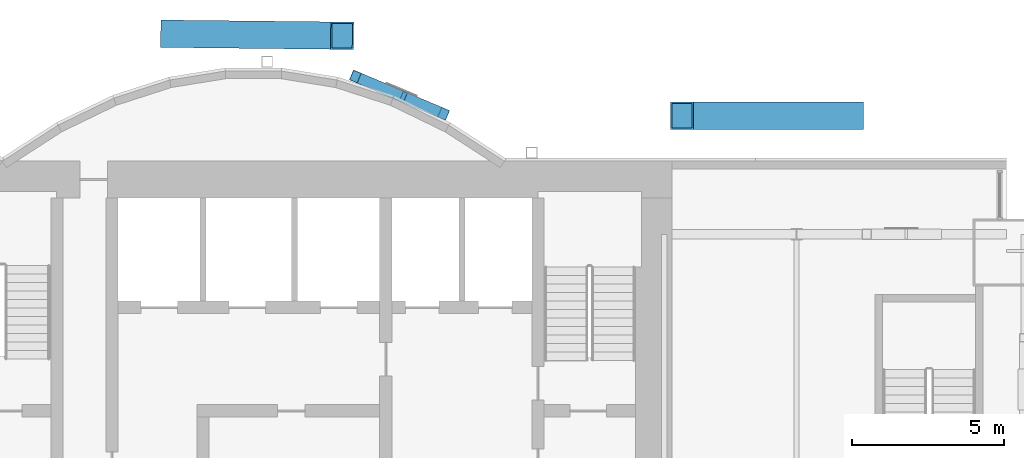
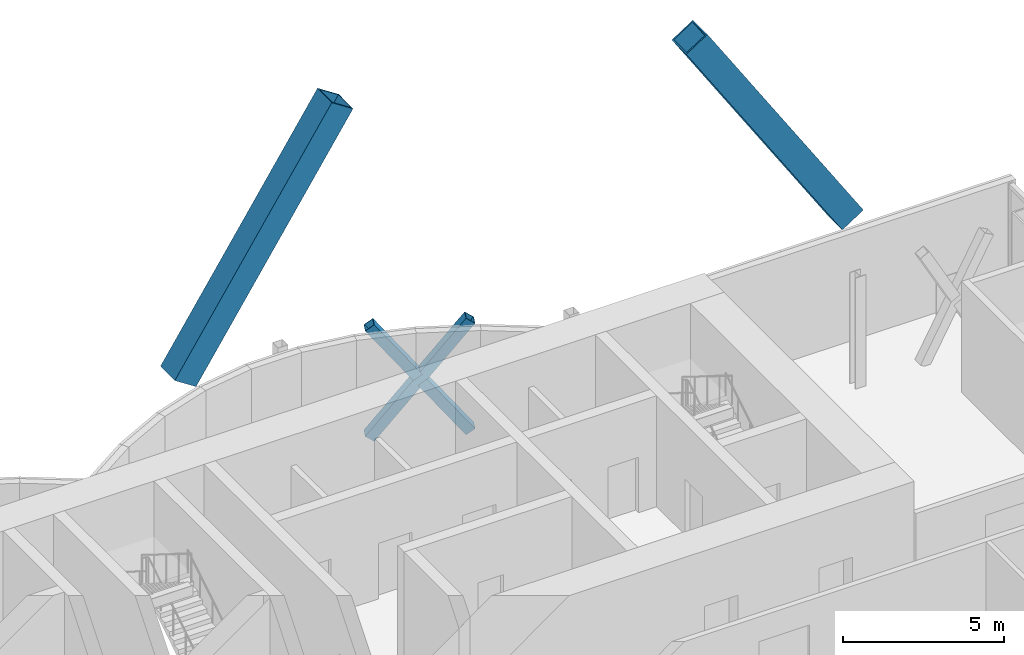
# One storey, part 11 of 20: 5 members.
"""IFC4 building model written with IfcOpenShell, lengths in metres."""

import ifcopenshell
import ifcopenshell.guid

model = None  # the IFC model being written
_history = None  # IfcOwnerHistory: only IFC2X3 demands one
_inside = {}  # id of a spatial element -> (the spatial element, [elements in it])
_under = {}  # id of a project, library or spatial element -> (it, [spatial elements below it])
_declared = {}  # id of a project -> (the project, [libraries it declares])
_typed = {}  # id of a type object -> (the type object, [elements of that type])
_made_of = {}  # id of a material, layer set ... -> (it, [elements and type objects made of it])


def new_model(schema):
    """Start an empty IFC model of exactly this schema.

    Asked for "IFC4X3", IfcOpenShell would pick the latest addendum, in which some entities
    have other attributes; the version numbers below select the first issue.
    IFC2X3 requires an IfcOwnerHistory on every rooted entity: one is made here for all.
    """
    global model, _history
    if schema == "IFC4X3":
        model = ifcopenshell.file(schema_version=(4, 3, 0, 0))
    else:
        model = ifcopenshell.file(schema=schema)
    _inside.clear()
    _under.clear()
    _declared.clear()
    _typed.clear()
    _made_of.clear()
    _history = None
    if model.schema == "IFC2X3":
        org = make("IfcOrganization", Name="unknown")
        user = make(
            "IfcPersonAndOrganization",
            ThePerson=make("IfcPerson", FamilyName="unknown"),
            TheOrganization=org,
        )
        app = make(
            "IfcApplication",
            ApplicationDeveloper=org,
            Version="unknown",
            ApplicationFullName="unknown",
            ApplicationIdentifier="unknown",
        )
        _history = make(
            "IfcOwnerHistory",
            OwningUser=user,
            OwningApplication=app,
            ChangeAction="ADDED",
            CreationDate=0,
        )
    return model


def make(cls, **values):
    """One entity of the class cls with the attributes given. An attribute that is None is left unset."""
    return model.create_entity(
        cls, **{name: value for name, value in values.items() if value is not None}
    )


def rooted(cls, **values):
    """An entity with a GlobalId (a new one), such as an element, a storey or a relation."""
    return make(cls, GlobalId=ifcopenshell.guid.new(), OwnerHistory=_history, **values)


def si_unit(unit_type, name, prefix=None):
    """IfcSIUnit, for example si_unit("LENGTHUNIT", "METRE", prefix="MILLI")."""
    return make("IfcSIUnit", UnitType=unit_type, Prefix=prefix, Name=name)


def assignment(units):
    """IfcUnitAssignment: the units of a project."""
    return None if units is None else make("IfcUnitAssignment", Units=units)


def point(xyz):
    """IfcCartesianPoint."""
    return None if xyz is None else make("IfcCartesianPoint", Coordinates=xyz)


def direction(xyz):
    """IfcDirection."""
    return None if xyz is None else make("IfcDirection", DirectionRatios=xyz)


def frame(location, z_axis=None, x_axis=None):
    """IfcAxis2Placement3D, a coordinate frame: its origin and axes. An axis left out is left unset."""
    return make(
        "IfcAxis2Placement3D",
        Location=point(location),
        Axis=direction(z_axis),
        RefDirection=direction(x_axis),
    )


def frame_2d(location, x_axis=None):
    """IfcAxis2Placement2D, a coordinate frame in the plane: its origin and x axis."""
    return make(
        "IfcAxis2Placement2D", Location=point(location), RefDirection=direction(x_axis)
    )


def origin():
    """The frame at (0, 0, 0) with its axes left unset."""
    return frame((0.0, 0.0, 0.0))


def origin_2d():
    """The frame at (0, 0) in the plane with its x axis left unset."""
    return frame_2d((0.0, 0.0))


def place(relative_to, where):
    """IfcLocalPlacement: puts the frame where relative to a parent placement (None: the world)."""
    return make(
        "IfcLocalPlacement", PlacementRelTo=relative_to, RelativePlacement=where
    )


def context(
    kind, dimensions, precision=None, world=None, true_north=None, identifier=None
):
    """IfcGeometricRepresentationContext, for example the 3D "Model" context."""
    return make(
        "IfcGeometricRepresentationContext",
        ContextIdentifier=identifier,
        ContextType=kind,
        CoordinateSpaceDimension=dimensions,
        Precision=precision,
        WorldCoordinateSystem=world,
        TrueNorth=true_north,
    )


def subcontext(parent, identifier, kind, view, scale=None):
    """IfcGeometricRepresentationSubContext, for example "Body" below "Model"."""
    return make(
        "IfcGeometricRepresentationSubContext",
        ContextIdentifier=identifier,
        ContextType=kind,
        ParentContext=parent,
        TargetScale=scale,
        TargetView=view,
    )


def project(units=None, contexts=None):
    """IfcProject with its units and contexts."""
    return rooted(
        "IfcProject",
        Name="project",
        RepresentationContexts=contexts,
        UnitsInContext=assignment(units),
    )


def spatial(cls, under=None, at=None, **own):
    """A site, building, storey or space (cls), placed at a placement, below another one or the project."""
    s = rooted(cls, ObjectPlacement=at, **own)
    if under is not None:
        _under.setdefault(under.id(), (under, []))[1].append(s)
    return s


def profile(cls, at=None, kind="AREA", **sizes):
    """A parametric profile (cls). Its sizes go by their IFC names, for example OverallWidth=200.0."""
    return make(cls, ProfileType=kind, Position=at, **sizes)


def hollow_rectangle(**sizes):
    """IfcRectangleHollowProfileDef."""
    return profile("IfcRectangleHollowProfileDef", **sizes)


def extrude(swept, where, along, depth):
    """IfcExtrudedAreaSolid: the profile swept, set in the frame where, extruded along a direction by depth."""
    return make(
        "IfcExtrudedAreaSolid",
        SweptArea=swept,
        Position=where,
        ExtrudedDirection=direction(along),
        Depth=depth,
    )


def shape(context_of_items, identifier, shape_type, items):
    """IfcShapeRepresentation: the items that make up one representation, for example the "Body"."""
    return make(
        "IfcShapeRepresentation",
        ContextOfItems=context_of_items,
        RepresentationIdentifier=identifier,
        RepresentationType=shape_type,
        Items=items,
    )


def material(Name=None, Category=None):
    """IfcMaterial."""
    return make("IfcMaterial", Name=Name, Category=Category)


def material_profile(
    of_material, cross_section, Name=None, Category=None, Priority=None
):
    """IfcMaterialProfile: a cross section and its material."""
    return make(
        "IfcMaterialProfile",
        Name=Name,
        Material=of_material,
        Profile=cross_section,
        Priority=Priority,
        Category=Category,
    )


def profile_set(profiles, Name=None, composite=None):
    """IfcMaterialProfileSet."""
    return make(
        "IfcMaterialProfileSet",
        Name=Name,
        MaterialProfiles=profiles,
        CompositeProfile=composite,
    )


def made_of(thing, what):
    """Note that an element or type object is made of a material, layer set ...; save() writes the relation."""
    if what is not None:
        _made_of.setdefault(what.id(), (what, []))[1].append(thing)
    return thing


def type_object(cls, material=None, **own):
    """A type object (cls), such as IfcWallType, which elements share."""
    return made_of(rooted(cls, **own), material)


def element(
    cls,
    number,
    at=None,
    inside=None,
    cuts=None,
    type_object=None,
    material=None,
    context=None,
    identifier="Body",
    shape_type=None,
    held_by="IfcProductDefinitionShape",
    body=None,
    shapes=None,
    **own,
):
    """One element of the class cls, such as IfcWall. Its Tag is "e" and its number.

    at: its placement. inside: the storey or other place that contains it. cuts: it is an
    opening in that element (IfcRelVoidsElement). A single representation is given by context,
    identifier, shape_type and body (its items); several are given by shapes. held_by: the class
    of the entity that holds the representations. save() writes the other relations.
    """
    e = rooted(cls, Tag="e%d" % number, ObjectPlacement=at, **own)
    if body is not None:
        shapes = [shape(context, identifier, shape_type, body)]
    if shapes is not None:
        e.Representation = make(held_by, Representations=shapes)
    if inside is not None:
        _inside.setdefault(inside.id(), (inside, []))[1].append(e)
    if cuts is not None:
        rooted(
            "IfcRelVoidsElement", RelatingBuildingElement=cuts, RelatedOpeningElement=e
        )
    if type_object is not None:
        _typed.setdefault(type_object.id(), (type_object, []))[1].append(e)
    return made_of(e, material)


def aggregate(whole, parts):
    """IfcRelAggregates: a whole, such as a stair, and the parts it consists of."""
    return rooted("IfcRelAggregates", RelatingObject=whole, RelatedObjects=parts)


def save(model, path):
    """Write the relations noted so far, then the file.

    IfcRelAggregates (storeys below a building ...), IfcRelContainedInSpatialStructure (elements
    in a storey), IfcRelDefinesByType, IfcRelAssociatesMaterial and IfcRelDeclares: one each for
    every whole, place, type object, material and project.
    """
    for whole, parts in _under.values():
        aggregate(whole, parts)
    for where, things in _inside.values():
        rooted(
            "IfcRelContainedInSpatialStructure",
            RelatedElements=things,
            RelatingStructure=where,
        )
    for kind, things in _typed.values():
        rooted("IfcRelDefinesByType", RelatedObjects=things, RelatingType=kind)
    for what, things in _made_of.values():
        rooted("IfcRelAssociatesMaterial", RelatedObjects=things, RelatingMaterial=what)
    for by, libraries in _declared.values():
        rooted("IfcRelDeclares", RelatingContext=by, RelatedDefinitions=libraries)
    model.write(path)


model = new_model("IFC4")

# Units and contexts
model_context = context("Model", 3, precision=1e-05, world=origin(), true_north=direction((0.0, 1.0)))
body_context = subcontext(model_context, "Body", "Model", "MODEL_VIEW")
ifc_project = project(units=[si_unit("LENGTHUNIT", "METRE"), si_unit("AREAUNIT", "SQUARE_METRE"), si_unit("VOLUMEUNIT", "CUBIC_METRE"), si_unit("PLANEANGLEUNIT", "RADIAN"), si_unit("MASSUNIT", "GRAM", prefix="KILO")], contexts=[model_context])

# Site, building, storey
site_placement = place(None, origin())
site = spatial("IfcSite", under=ifc_project, at=site_placement, CompositionType="ELEMENT")
building_placement = place(site_placement, origin())
building = spatial("IfcBuilding", under=site, at=building_placement, Name="Bicima Exchange Tower", CompositionType="ELEMENT")
storey_placement = place(building_placement, frame((0.0, 0.0, 245.60009765625)))
storey = spatial("IfcBuildingStorey", under=building, at=storey_placement, Name="L55", CompositionType="ELEMENT", Elevation=245.60009765625)

# Members
ifc_material = material(Name="Steel ASTM A572 Gr 50", Category="steel")
ifc_material_profile_1 = material_profile(ifc_material, hollow_rectangle(XDim=0.89990234375, YDim=0.89990234375, WallThickness=0.050048828125, at=origin_2d()))
ifc_profile_set_1 = profile_set([ifc_material_profile_1], Name="Steel ASTM A572 Gr 50")
member_type_1 = type_object("IfcMemberType", Name="Exo mega brace BOX 900x900x50", PredefinedType="BRACE", material=ifc_profile_set_1)
member_1_placement = place(storey_placement, frame((5.583251953125, 4.1865234375, 3.5), z_axis=(0.544539085696, -0.006000168325, 0.838714004968), x_axis=(0.011018133066, 0.99993929853, 0.0)))
element("IfcMember", 1, at=member_1_placement, inside=storey, type_object=member_type_1, Name="Exo mega brace rear", PredefinedType="BRACE", context=body_context, shape_type="SweptSolid", body=[
    extrude(hollow_rectangle(XDim=0.89990234375, YDim=0.89990234375, WallThickness=0.050048828125, at=origin_2d()), origin(), (0.0, 0.0, 1.0), 10.253662109375),
])
member_2_placement = place(storey_placement, frame((27.916748046875, 1.5, 3.5), z_axis=(-0.544548888214, 0.0, 0.838729103075), x_axis=(0.0, -1.0, 0.0)))
element("IfcMember", 2, at=member_2_placement, inside=storey, type_object=member_type_1, Name="Exo mega brace rear", PredefinedType="BRACE", context=body_context, shape_type="SweptSolid", body=[
    extrude(hollow_rectangle(XDim=0.89990234375, YDim=0.89990234375, WallThickness=0.050048828125, at=origin_2d()), origin(), (0.0, 0.0, 1.0), 10.25341796875),
])
ifc_material_profile_2 = material_profile(ifc_material, hollow_rectangle(XDim=0.355712890625, YDim=0.355712890625, WallThickness=0.0146484375, at=origin_2d()))
ifc_profile_set_2 = profile_set([ifc_material_profile_2], Name="Steel ASTM A572 Gr 50")
member_type_2 = type_object("IfcMemberType", Name="Mega brace HSS14x14x5/8", PredefinedType="BRACE", material=ifc_profile_set_2)
member_3_placement = place(storey_placement, frame((11.60009765625, 2.783203125, 0.0), z_axis=(0.552440755045, -0.233757133765, 0.800104252319), x_axis=(0.389685518438, 0.920947988064, 0.0)))
element("IfcMember", 3, at=member_3_placement, inside=storey, type_object=member_type_2, Name="Mega brace rexo", PredefinedType="BRACE", context=body_context, shape_type="SweptSolid", body=[
    extrude(hollow_rectangle(XDim=0.355712890625, YDim=0.355712890625, WallThickness=0.0146484375, at=origin_2d()), origin(), (0.0, 0.0, 1.0), 5.249267578125),
])
for number, where, z_axis, x_axis, name in (
    (4, (14.5, 1.55615234375, 0.0), (-0.552488367505, 0.23374507856, 0.800074897757), (-0.389639990837, -0.920967251069, 0.0), "Mega brace rexo"),
    (5, (12.983642578125, 2.19775390625, 2.19580078125), (-0.552377556602, 0.233739435457, 0.800153054905), (-0.389698305965, -0.920942577107, 0.0), "Mega brace rexo"),
):
    element("IfcMember", number, at=place(storey_placement, frame(where, z_axis=z_axis, x_axis=x_axis)), inside=storey, type_object=member_type_2, Name=name, PredefinedType="BRACE", context=body_context, shape_type="SweptSolid", body=[
        extrude(hollow_rectangle(XDim=0.355712890625, YDim=0.355712890625, WallThickness=0.0146484375, at=origin_2d()), origin(), (0.0, 0.0, 1.0), 2.504638671875),
    ])

save(model, "model.ifc")
